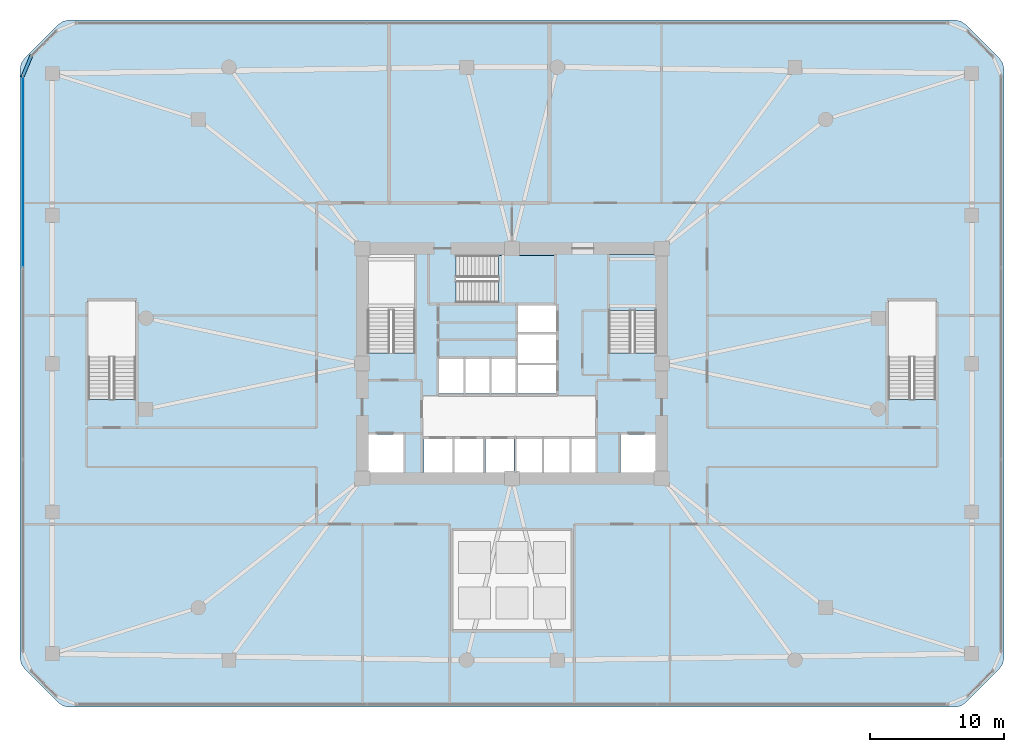
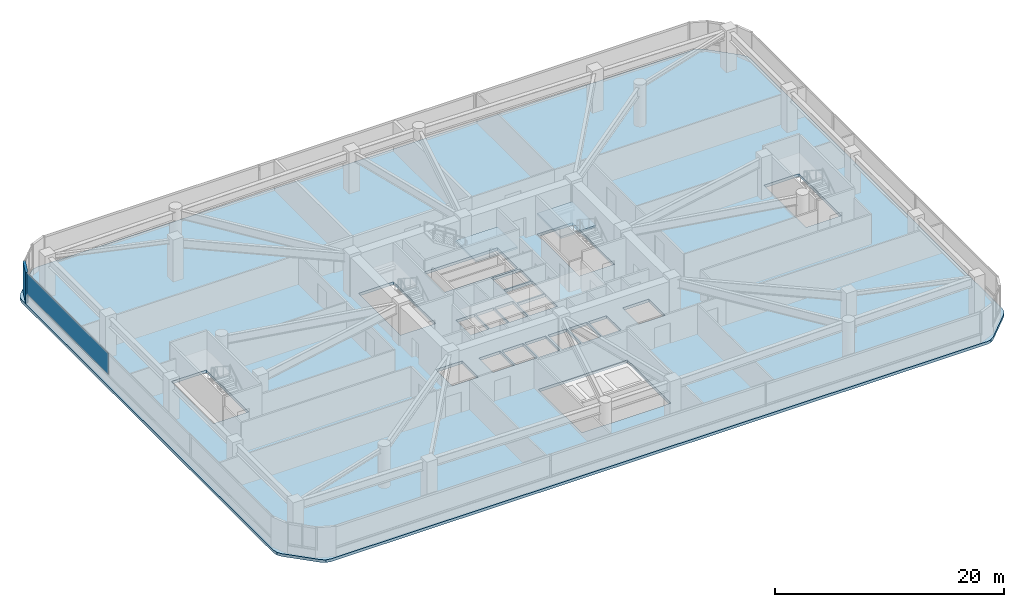
# One storey, part 13 of 21: 3 slabs, 2 plates, 3 elements without a shape of their own.
"""IFC4 building model written with IfcOpenShell, lengths in metres."""

from ifc_helpers import new_model, si_unit, derived_unit, direction, frame, origin, origin_2d, place, context, subcontext, project, spatial, polyline, rectangle, outline, extrude, material, layer, layer_set, type_object, element, aggregate, save


model = new_model("IFC4")

# Units and contexts
model_context = context("Model", 3, precision=1e-05, world=origin(), true_north=direction((0.0, 1.0)))
body_context = subcontext(model_context, "Body", "Model", "MODEL_VIEW")
ifc_project = project(units=[si_unit("LENGTHUNIT", "METRE"), si_unit("AREAUNIT", "SQUARE_METRE"), si_unit("VOLUMEUNIT", "CUBIC_METRE"), si_unit("PLANEANGLEUNIT", "RADIAN"), si_unit("MASSUNIT", "GRAM", prefix="KILO"), derived_unit("THERMALTRANSMITTANCEUNIT", [(si_unit("POWERUNIT", "WATT"), 1), (si_unit("LENGTHUNIT", "METRE"), -2), (si_unit("THERMODYNAMICTEMPERATUREUNIT", "KELVIN"), -1)])], contexts=[model_context])

# Site, building, storey
site_placement = place(None, origin())
site = spatial("IfcSite", under=ifc_project, at=site_placement, CompositionType="ELEMENT")
building_placement = place(site_placement, origin())
building = spatial("IfcBuilding", under=site, at=building_placement, Name="Koralith Skygarden Medical Center", CompositionType="ELEMENT")
storey_placement = place(building_placement, frame((0.0, 0.0, 9.89990234375)))
storey = spatial("IfcBuildingStorey", under=building, at=storey_placement, Name="L02", CompositionType="ELEMENT", Elevation=9.89990234375)

# Curtain wall, plate
ifc_material_1 = material(Name="Clear Laminated Glass", Category="glass")
curtain_wall_type = type_object("IfcCurtainWallType", Name="CW-1 Transit & Podium Acoustic Curtain Wall", PredefinedType="NOTDEFINED", material=ifc_material_1)
curtain_wall_placement = place(storey_placement, origin())
curtain_wall = element("IfcCurtainWall", 1, at=curtain_wall_placement, inside=storey, type_object=curtain_wall_type, Name="Curtain Wall CW-L02-W", PredefinedType="NOTDEFINED")
ifc_layer_1 = layer(ifc_material_1, 0.030029296875)
ifc_layer_set_1 = layer_set([ifc_layer_1], Name="Clear Laminated Glass")
plate_type_1 = type_object("IfcPlateType", Name="CW-1 Hurricane Laminated IGU Panel 30", PredefinedType="CURTAIN_PANEL", material=ifc_layer_set_1)
plate_1_placement = place(storey_placement, frame((0.419921875, 40.2470703125, 0.920166015625), z_axis=(0.0, 0.0, 1.0), x_axis=(0.0, -1.0, 0.0)))
plate_1 = element("IfcPlate", 2, at=plate_1_placement, type_object=plate_type_1, Name="CW-L02-W Glazed Panel 1", PredefinedType="CURTAIN_PANEL", context=body_context, shape_type="SweptSolid", body=[
    extrude(rectangle(XDim=14.257080078125, YDim=0.030029296875, at=origin_2d()), origin(), (0.0, 0.0, 1.0), 2.25),
])
aggregate(curtain_wall, [plate_1])

# Stair, slab
ifc_material_2 = material(Name="Concrete C45/55", Category="concrete")
stair_type = type_object("IfcStairType", Name="Core Exit Dogleg Concrete Stair", PredefinedType="HALF_TURN_STAIR", material=ifc_material_2)
stair_1_placement = place(storey_placement, origin())
stair_1 = element("IfcStair", 3, at=stair_1_placement, inside=storey, type_object=stair_type, Name="L02 Smokeproof Exit Stair ST2", PredefinedType="HALF_TURN_STAIR")
ifc_layer_2 = layer(ifc_material_2, 0.199951171875)
ifc_layer_set_2 = layer_set([ifc_layer_2], Name="Concrete C45/55")
slab_type_1 = type_object("IfcSlabType", Name="Core Exit Concrete Stair Landing 200", PredefinedType="LANDING", material=ifc_layer_set_2)
slab_1_placement = place(storey_placement, frame((0.0, 0.0, 2.050048828125)))
slab_1 = element("IfcSlab", 4, at=slab_1_placement, type_object=slab_type_1, Name="ST2 landing 1", PredefinedType="LANDING", context=body_context, shape_type="SweptSolid", body=[
    extrude(outline(polyline([(47.800048828125, 29.889892578125), (47.800048828125, 34.050048828125), (44.25, 34.050048828125), (44.25, 29.889892578125), (47.800048828125, 29.889892578125)])), origin(), (0.0, 0.0, 1.0), 0.199951171875),
])
aggregate(stair_1, [slab_1])

stair_2_placement = place(storey_placement, origin())
stair_2 = element("IfcStair", 5, at=stair_2_placement, inside=storey, type_object=stair_type, Name="L02 Smokeproof Exit Stair ST3", PredefinedType="HALF_TURN_STAIR")
slab_2_placement = place(storey_placement, frame((0.0, 0.0, 2.050048828125)))
slab_2 = element("IfcSlab", 6, at=slab_2_placement, type_object=slab_type_1, Name="ST3 landing 1", PredefinedType="LANDING", context=body_context, shape_type="SweptSolid", body=[
    extrude(outline(polyline([(35.989990234375, 30.449951171875), (40.199951171875, 30.449951171875), (40.199951171875, 34.0), (35.989990234375, 34.0), (35.989990234375, 30.449951171875)])), origin(), (0.0, 0.0, 1.0), 0.199951171875),
])
aggregate(stair_2, [slab_2])

# Slab
ifc_layer_3 = layer(ifc_material_2, 0.300048828125)
ifc_layer_set_3 = layer_set([ifc_layer_3], Name="Concrete C45/55")
slab_type_2 = type_object("IfcSlabType", Name="Podium & Diagnostic Stiffened Slab 300", PredefinedType="FLOOR", material=ifc_layer_set_3)
slab_3_placement = place(storey_placement, frame((0.0, 0.0, -0.2998046875)))
element("IfcSlab", 7, at=slab_3_placement, inside=storey, type_object=slab_type_2, Name="Level L02 Structural Floor Slab", PredefinedType="FLOOR", context=body_context, shape_type="SweptSolid", body=[
    extrude(outline(polyline([(3.049072265625, 0.551025390625), (3.43798828125, 0.291015625), (3.89697265625, 0.199951171875), (70.10302734375, 0.199951171875), (70.56201171875, 0.291015625), (70.950927734375, 0.551025390625), (73.448974609375, 3.049072265625), (73.708984375, 3.43798828125), (73.800048828125, 3.89697265625), (73.800048828125, 47.903076171875), (73.708984375, 48.362060546875), (73.448974609375, 48.7509765625), (70.950927734375, 51.2490234375), (70.56201171875, 51.509033203125), (70.10302734375, 51.60009765625), (3.89697265625, 51.60009765625), (3.43798828125, 51.509033203125), (3.049072265625, 51.2490234375), (0.551025390625, 48.7509765625), (0.291015625, 48.362060546875), (0.199951171875, 47.903076171875), (0.199951171875, 3.89697265625), (0.291015625, 3.43798828125), (0.551025390625, 3.049072265625), (3.049072265625, 0.551025390625)]), holes=[polyline([(26.199951171875, 26.705078125), (29.75, 26.705078125), (29.75, 34.050048828125), (26.199951171875, 34.050048828125), (26.199951171875, 26.705078125)]), polyline([(44.25, 26.705078125), (47.800048828125, 26.705078125), (47.800048828125, 34.050048828125), (44.25, 34.050048828125), (44.25, 26.705078125)]), polyline([(32.804931640625, 30.449951171875), (40.199951171875, 30.449951171875), (40.199951171875, 34.0), (32.804931640625, 34.0), (32.804931640625, 30.449951171875)]), polyline([(5.300048828125, 23.205078125), (8.85009765625, 23.205078125), (8.85009765625, 30.60009765625), (5.300048828125, 30.60009765625), (5.300048828125, 23.205078125)]), polyline([(65.14990234375, 23.205078125), (68.699951171875, 23.205078125), (68.699951171875, 30.60009765625), (65.14990234375, 30.60009765625), (65.14990234375, 23.205078125)]), polyline([(26.25, 17.75), (28.89990234375, 17.75), (28.89990234375, 20.60009765625), (26.25, 20.60009765625), (26.25, 17.75)]), polyline([(45.10009765625, 17.75), (47.75, 17.75), (47.75, 20.60009765625), (45.10009765625, 20.60009765625), (45.10009765625, 17.75)]), polyline([(30.39990234375, 17.75), (32.550048828125, 17.75), (32.550048828125, 20.25), (30.39990234375, 20.25), (30.39990234375, 17.75)]), polyline([(32.699951171875, 17.75), (34.85009765625, 17.75), (34.85009765625, 20.25), (32.699951171875, 20.25), (32.699951171875, 17.75)]), polyline([(35.0, 17.75), (37.14990234375, 17.75), (37.14990234375, 20.25), (35.0, 20.25), (35.0, 17.75)]), polyline([(37.35009765625, 17.75), (39.25, 17.75), (39.25, 20.25), (37.35009765625, 20.25), (37.35009765625, 17.75)]), polyline([(39.39990234375, 17.75), (41.300048828125, 17.75), (41.300048828125, 20.25), (39.39990234375, 20.25), (39.39990234375, 17.75)]), polyline([(41.449951171875, 17.75), (43.300048828125, 17.75), (43.300048828125, 20.25), (41.449951171875, 20.25), (41.449951171875, 17.75)]), polyline([(31.550048828125, 23.64990234375), (33.39990234375, 23.64990234375), (33.39990234375, 26.25), (31.550048828125, 26.25), (31.550048828125, 23.64990234375)]), polyline([(33.5, 23.64990234375), (35.35009765625, 23.64990234375), (35.35009765625, 26.25), (33.5, 26.25), (33.5, 23.64990234375)]), polyline([(35.449951171875, 23.64990234375), (37.300048828125, 23.64990234375), (37.300048828125, 26.25), (35.449951171875, 26.25), (35.449951171875, 23.64990234375)]), polyline([(37.449951171875, 23.64990234375), (40.300048828125, 23.64990234375), (40.300048828125, 25.800048828125), (37.449951171875, 25.800048828125), (37.449951171875, 23.64990234375)]), polyline([(37.449951171875, 25.949951171875), (40.300048828125, 25.949951171875), (40.300048828125, 28.10009765625), (37.449951171875, 28.10009765625), (37.449951171875, 25.949951171875)]), polyline([(37.449951171875, 28.25), (40.300048828125, 28.25), (40.300048828125, 30.25), (37.449951171875, 30.25), (37.449951171875, 28.25)]), polyline([(32.5, 5.89990234375), (41.5, 5.89990234375), (41.5, 13.5), (32.5, 13.5), (32.5, 5.89990234375)])]), origin(), (0.0, 0.0, 1.0), 0.2998046875),
])

# Plate
ifc_material_3 = material(Name="Warm Oolitic Limestone Cladding", Category="masonry")
ifc_layer_4 = layer(ifc_material_3, 0.239990234375)
ifc_layer_set_4 = layer_set([ifc_layer_4], Name="Warm Oolitic Limestone Cladding")
plate_type_2 = type_object("IfcPlateType", Name="Rounded-Corner Oolitic Limestone Cladding Panel 240", PredefinedType="USERDEFINED", material=ifc_layer_set_4)
plate_2_placement = place(storey_placement, frame((0.719970703125, 48.14697265625, 0.0), z_axis=(0.0, 0.0, 1.0), x_axis=(-0.382670532536, -0.92388487569, 0.0)))
element("IfcPlate", 8, at=plate_2_placement, inside=storey, type_object=plate_type_2, Name="L02 Rounded-Corner Limestone Pier 6", ObjectType="LIMESTONE CLADDING", PredefinedType="USERDEFINED", context=body_context, shape_type="SweptSolid", body=[
    extrude(rectangle(XDim=1.81103515625, YDim=0.239990234375, at=origin_2d()), origin(), (0.0, 0.0, 1.0), 3.239990234375),
])

save(model, "model.ifc")
